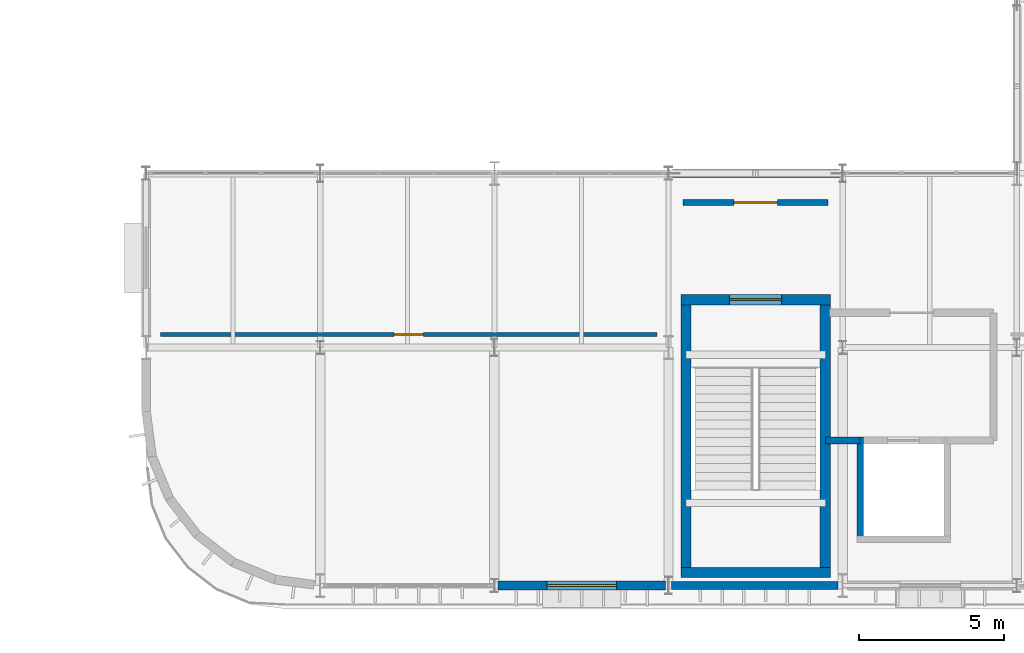
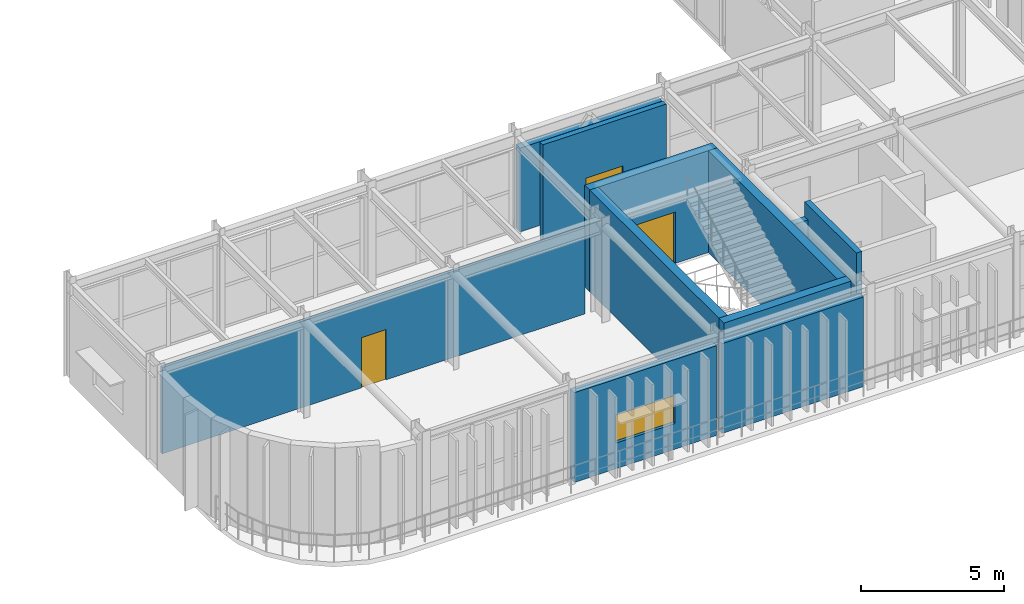
# One storey, part 57 of 84: 11 walls, 3 doors, 1 window, 4 openings.
"""IFC4 building model written with IfcOpenShell, lengths in metres."""

from ifc_helpers import new_model, si_unit, direction, frame, frame_2d, origin, place, context, subcontext, project, spatial, rectangle, extrude, material, layer, layer_set, type_object, element, fill, save


model = new_model("IFC4")

# Units and contexts
model_context = context("Model", 3, precision=1e-05, world=origin(), true_north=direction((0.0, 1.0)))
body_context = subcontext(model_context, "Body", "Model", "MODEL_VIEW")
ifc_project = project(units=[si_unit("LENGTHUNIT", "METRE"), si_unit("AREAUNIT", "SQUARE_METRE"), si_unit("VOLUMEUNIT", "CUBIC_METRE"), si_unit("PLANEANGLEUNIT", "RADIAN"), si_unit("MASSUNIT", "GRAM", prefix="KILO")], contexts=[model_context])

# Site, building, storey
site_placement = place(None, origin())
site = spatial("IfcSite", under=ifc_project, at=site_placement, CompositionType="ELEMENT")
building_placement = place(site_placement, origin())
building = spatial("IfcBuilding", under=site, at=building_placement, Name="Varnakota Square Police Headquarters", CompositionType="ELEMENT")
storey_placement = place(building_placement, frame((0.0, 0.0, 13.5)))
storey = spatial("IfcBuildingStorey", under=building, at=storey_placement, Name="L03", CompositionType="ELEMENT", Elevation=13.5)

# Walls
ifc_material_1 = material(Name="Concrete M40", Category="concrete")
ifc_layer_1 = layer(ifc_material_1, 0.22998046875, Name="Concrete M40")
ifc_layer_set_1 = layer_set([ifc_layer_1], Name="Concrete M40")
wall_type_1 = type_object("IfcWallType", Name="WL-CORE-230", PredefinedType="SHEAR", material=ifc_layer_set_1)
wall_1_placement = place(storey_placement, frame((132.60009765625, 5.9150390625, 0.0), z_axis=(0.0, 0.0, 1.0), x_axis=(0.0, -1.0, 0.0)))
element("IfcWall", 1, at=wall_1_placement, inside=storey, type_object=wall_type_1, Name="Lift shaft wall LF-FF1 L03 W", PredefinedType="SHEAR", context=body_context, shape_type="SweptSolid", body=[
    extrude(rectangle(XDim=3.630126953125, YDim=0.22998046875, at=frame_2d((1.81494140625, 0.0))), origin(), (0.0, 0.0, 1.0), 4.5),
])
ifc_material_2 = material(Name="Concrete M50", Category="concrete")
ifc_layer_2 = layer(ifc_material_2, 0.35009765625, Name="Concrete M50")
ifc_layer_set_2 = layer_set([ifc_layer_2], Name="Concrete M50")
wall_type_2 = type_object("IfcWallType", Name="WL-CORE-350", PredefinedType="SHEAR", material=ifc_layer_set_2)
wall_2_placement = place(storey_placement, frame((126.425048828125, 1.25, 0.0), z_axis=(0.0, 0.0, 1.0), x_axis=(1.0, 0.0, 0.0)))
element("IfcWall", 2, at=wall_2_placement, inside=storey, type_object=wall_type_2, Name="Core C1 shear wall L03 S", PredefinedType="SHEAR", context=body_context, shape_type="SweptSolid", body=[
    extrude(rectangle(XDim=5.14990234375, YDim=0.35009765625, at=frame_2d((2.574951171875, 0.0))), origin(), (0.0, 0.0, 1.0), 4.360107421875),
])
wall_3_placement = place(storey_placement, frame((131.39990234375, 1.074951171875, 0.0), z_axis=(0.0, 0.0, 1.0), x_axis=(0.0, 1.0, 0.0)))
element("IfcWall", 3, at=wall_3_placement, inside=storey, type_object=wall_type_2, Name="Core C1 shear wall L03 E", PredefinedType="SHEAR", context=body_context, shape_type="SweptSolid", body=[
    extrude(rectangle(XDim=9.75, YDim=0.35009765625, at=frame_2d((4.875, 0.0))), origin(), (0.0, 0.0, 1.0), 4.360107421875),
])

# Wall, opening, door
wall_4_placement = place(storey_placement, frame((131.574951171875, 10.64990234375, 0.0), z_axis=(0.0, 0.0, 1.0), x_axis=(-1.0, 0.0, 0.0)))
wall_4 = element("IfcWall", 4, at=wall_4_placement, inside=storey, type_object=wall_type_2, Name="Core C1 shear wall L03 N", PredefinedType="SHEAR", context=body_context, shape_type="SweptSolid", body=[
    extrude(rectangle(XDim=5.14990234375, YDim=0.35009765625, at=frame_2d((2.574951171875, 0.0))), origin(), (0.0, 0.0, 1.0), 4.360107421875),
])
opening_1_placement = place(wall_4_placement, frame((1.675048828125, 0.0, 0.0)))
opening_1 = element("IfcOpeningElement", 5, at=opening_1_placement, cuts=wall_4, Name="Opening SD004", PredefinedType="OPENING", context=body_context, shape_type="SweptSolid", body=[
    extrude(rectangle(XDim=1.800048828125, YDim=2.199951171875, at=frame_2d((0.89990234375, 1.10009765625))), frame((0.0, 0.18505859375, 0.0), z_axis=(0.0, -1.0, 0.0), x_axis=(1.0, 0.0, 0.0)), (0.0, 0.0, 1.0), 0.3701171875),
])
ifc_material_3 = material(Name="Powder-Coated Galvanised Steel", Category="steel")
door_type_1 = type_object("IfcDoorType", Name="DR-ST-180", OperationType="NOTDEFINED", PredefinedType="DOOR", material=ifc_material_3)
door_1_placement = place(opening_1_placement, origin())
door_1 = element("IfcDoor", 6, at=door_1_placement, inside=storey, type_object=door_type_1, Name="Protected stair door SD004", OperationType="DOUBLE_DOOR_SINGLE_SWING", OverallHeight=2.199951171875, OverallWidth=1.800048828125, PredefinedType="DOOR", context=body_context, shape_type="SweptSolid", body=[
    extrude(rectangle(XDim=1.800048828125, YDim=2.199951171875, at=frame_2d((0.89990234375, 1.10009765625))), frame((0.0, 0.02490234375, 0.0), z_axis=(0.0, -1.0, 0.0), x_axis=(1.0, 0.0, 0.0)), (0.0, 0.0, 1.0), 0.050048828125),
])
fill(opening_1, door_1)

# Walls
wall_5_placement = place(storey_placement, frame((126.60009765625, 10.824951171875, 0.0), z_axis=(0.0, 0.0, 1.0), x_axis=(0.0, -1.0, 0.0)))
element("IfcWall", 7, at=wall_5_placement, inside=storey, type_object=wall_type_2, Name="Core C1 shear wall L03 W", PredefinedType="SHEAR", context=body_context, shape_type="SweptSolid", body=[
    extrude(rectangle(XDim=9.75, YDim=0.35009765625, at=frame_2d((4.875, 0.0))), origin(), (0.0, 0.0, 1.0), 4.360107421875),
])
ifc_layer_3 = layer(ifc_material_1, 0.280029296875, Name="Concrete M40")
ifc_layer_set_3 = layer_set([ifc_layer_3], Name="Concrete M40")
wall_type_3 = type_object("IfcWallType", Name="WL-EXT-280", PredefinedType="SOLIDWALL", material=ifc_layer_set_3)
wall_6_placement = place(storey_placement, frame((126.10888671875, 0.800048828125, 0.0), z_axis=(0.0, 0.0, 1.0), x_axis=(1.0, 0.0, 0.0)))
element("IfcWall", 8, at=wall_6_placement, inside=storey, type_object=wall_type_3, Name="Exterior wall EW-L03-0212", PredefinedType="SOLIDWALL", context=body_context, shape_type="SweptSolid", body=[
    extrude(rectangle(XDim=5.72705078125, YDim=0.280029296875, at=frame_2d((2.863525390625, 0.0))), origin(), (0.0, 0.0, 1.0), 3.840087890625),
])
wall_7_placement = place(storey_placement, frame((126.12890625, 15.0, 0.0), z_axis=(0.0, 0.0, 1.0), x_axis=(1.0, 0.0, 0.0)))
element("IfcWall", 9, at=wall_7_placement, inside=storey, type_object=wall_type_3, Name="Exterior wall EW-L03-0221", PredefinedType="SOLIDWALL", context=body_context, shape_type="SweptSolid", body=[
    extrude(rectangle(XDim=5.76220703125, YDim=0.280029296875, at=frame_2d((2.881103515625, 0.0))), origin(), (0.0, 0.0, 1.0), 3.590087890625),
])

# Wall, opening, window
ifc_material_4 = material(Name="Precast concrete M40", Category="concrete")
ifc_layer_4 = layer(ifc_material_4, 0.300048828125, Name="Precast concrete M40")
ifc_layer_set_4 = layer_set([ifc_layer_4], Name="Precast concrete M40")
wall_type_4 = type_object("IfcWallType", Name="WL-EXT-300", PredefinedType="SOLIDWALL", material=ifc_layer_set_4)
wall_8_placement = place(storey_placement, frame((120.12890625, 0.800048828125, 0.0), z_axis=(0.0, 0.0, 1.0), x_axis=(1.0, 0.0, 0.0)))
wall_8 = element("IfcWall", 10, at=wall_8_placement, inside=storey, type_object=wall_type_4, Name="Exterior wall EW-L03-0211", PredefinedType="SOLIDWALL", context=body_context, shape_type="SweptSolid", body=[
    extrude(rectangle(XDim=5.76220703125, YDim=0.300048828125, at=frame_2d((2.881103515625, 0.0))), origin(), (0.0, 0.0, 1.0), 3.840087890625),
])
opening_2_placement = place(wall_8_placement, frame((1.680908203125, 0.0, 1.10009765625)))
opening_2 = element("IfcOpeningElement", 11, at=opening_2_placement, cuts=wall_8, Name="Opening W06", PredefinedType="OPENING", context=body_context, shape_type="SweptSolid", body=[
    extrude(rectangle(XDim=2.39990234375, YDim=1.199951171875, at=frame_2d((1.199951171875, 0.60009765625))), frame((0.0, 0.159912109375, 0.0), z_axis=(0.0, -1.0, 0.0), x_axis=(1.0, 0.0, 0.0)), (0.0, 0.0, 1.0), 0.320068359375),
])
ifc_material_5 = material(Name="Thermally Broken Aluminium Double-Glazed Window", Category="aluminium")
window_type = type_object("IfcWindowType", Name="WIN-06", PartitioningType="SINGLE_PANEL", PredefinedType="WINDOW", material=ifc_material_5)
window_placement = place(opening_2_placement, origin())
window = element("IfcWindow", 12, at=window_placement, inside=storey, type_object=window_type, Name="Window WN-L03-0033", OverallHeight=1.199951171875, OverallWidth=2.39990234375, PartitioningType="SINGLE_PANEL", PredefinedType="WINDOW", context=body_context, shape_type="SweptSolid", body=[
    extrude(rectangle(XDim=2.39990234375, YDim=1.199951171875, at=frame_2d((1.199951171875, 0.60009765625))), frame((0.0, 0.030029296875, 0.0), z_axis=(0.0, -1.0, 0.0), x_axis=(1.0, 0.0, 0.0)), (0.0, 0.0, 1.0), 0.06005859375),
])
fill(opening_2, window)

# Wall, opening, door
ifc_material_6 = material(Name="Acoustic Insulated Metal-Stud Partition", Category="gypsum")
ifc_layer_5 = layer(ifc_material_6, 0.125, Name="Acoustic Insulated Metal-Stud Partition")
ifc_layer_set_5 = layer_set([ifc_layer_5], Name="Acoustic Insulated Metal-Stud Partition")
wall_type_5 = type_object("IfcWallType", Name="WL-PRT-125", PredefinedType="PARTITIONING", material=ifc_layer_set_5)
wall_9_placement = place(storey_placement, frame((108.5, 9.449951171875, 0.0), z_axis=(0.0, 0.0, 1.0), x_axis=(1.0, 0.0, 0.0)))
wall_9 = element("IfcWall", 13, at=wall_9_placement, inside=storey, type_object=wall_type_5, Name="Interior partition PW-L03-0175 (Serious Crime Investigation Suite West)", PredefinedType="PARTITIONING", context=body_context, shape_type="SweptSolid", body=[
    extrude(rectangle(XDim=17.10009765625, YDim=0.125, at=frame_2d((8.550048828125, 0.0))), origin(), (0.0, 0.0, 1.0), 3.68994140625),
])
opening_3_placement = place(wall_9_placement, frame((8.050048828125, 0.0, 0.0)))
opening_3 = element("IfcOpeningElement", 14, at=opening_3_placement, cuts=wall_9, Name="Opening D251", PredefinedType="OPENING", context=body_context, shape_type="SweptSolid", body=[
    extrude(rectangle(XDim=1.0, YDim=2.14990234375, at=frame_2d((0.5, 1.074951171875))), frame((0.0, 0.072509765625, 0.0), z_axis=(0.0, -1.0, 0.0), x_axis=(1.0, 0.0, 0.0)), (0.0, 0.0, 1.0), 0.14501953125),
])
ifc_material_7 = material(Name="Solid-Core Teak Veneer Hardwood", Category="wood")
door_type_2 = type_object("IfcDoorType", Name="DR-OFF-100", OperationType="NOTDEFINED", PredefinedType="DOOR", material=ifc_material_7)
door_2_placement = place(opening_3_placement, origin())
door_2 = element("IfcDoor", 15, at=door_2_placement, inside=storey, type_object=door_type_2, Name="Room door D251 (Serious Crime Investigation Suite West)", OperationType="SINGLE_SWING_LEFT", OverallHeight=2.14990234375, OverallWidth=1.0, PredefinedType="DOOR", context=body_context, shape_type="SweptSolid", body=[
    extrude(rectangle(XDim=1.0, YDim=2.14990234375, at=frame_2d((0.5, 1.074951171875))), frame((0.0, 0.02490234375, 0.0), z_axis=(0.0, -1.0, 0.0), x_axis=(1.0, 0.0, 0.0)), (0.0, 0.0, 1.0), 0.050048828125),
])
fill(opening_3, door_2)

ifc_layer_6 = layer(ifc_material_1, 0.215087890625, Name="Concrete M40")
ifc_layer_set_6 = layer_set([ifc_layer_6], Name="Concrete M40")
wall_type_6 = type_object("IfcWallType", Name="WL-PRT-215F", PredefinedType="PARTITIONING", material=ifc_layer_set_6)
wall_10_placement = place(storey_placement, frame((126.5, 14.0, 0.0), z_axis=(0.0, 0.0, 1.0), x_axis=(1.0, 0.0, 0.0)))
wall_10 = element("IfcWall", 16, at=wall_10_placement, inside=storey, type_object=wall_type_6, Name="Core C1 lobby fire partition L03", PredefinedType="PARTITIONING", context=body_context, shape_type="SweptSolid", body=[
    extrude(rectangle(XDim=5.0, YDim=0.215087890625, at=frame_2d((2.5, 0.0))), origin(), (0.0, 0.0, 1.0), 4.18994140625),
])
opening_4_placement = place(wall_10_placement, frame((1.75, 0.0, 0.0)))
opening_4 = element("IfcOpeningElement", 17, at=opening_4_placement, cuts=wall_10, Name="Opening FD015", PredefinedType="OPENING", context=body_context, shape_type="SweptSolid", body=[
    extrude(rectangle(XDim=1.5, YDim=2.14990234375, at=frame_2d((0.75, 1.074951171875))), frame((0.0, 0.117431640625, 0.0), z_axis=(0.0, -1.0, 0.0), x_axis=(1.0, 0.0, 0.0)), (0.0, 0.0, 1.0), 0.235107421875),
])
ifc_material_8 = material(Name="Smoke-Sealed Galvanised Acoustic Steel", Category="steel")
door_type_3 = type_object("IfcDoorType", Name="DR-FFL-150", OperationType="NOTDEFINED", PredefinedType="DOOR", material=ifc_material_8)
door_3_placement = place(opening_4_placement, origin())
door_3 = element("IfcDoor", 18, at=door_3_placement, inside=storey, type_object=door_type_3, Name="Core lobby smoke door FD015", OperationType="DOUBLE_DOOR_SINGLE_SWING", OverallHeight=2.14990234375, OverallWidth=1.5, PredefinedType="DOOR", context=body_context, shape_type="SweptSolid", body=[
    extrude(rectangle(XDim=1.5, YDim=2.14990234375, at=frame_2d((0.75, 1.074951171875))), frame((0.0, 0.02490234375, 0.0), z_axis=(0.0, -1.0, 0.0), x_axis=(1.0, 0.0, 0.0)), (0.0, 0.0, 1.0), 0.050048828125),
])
fill(opening_4, door_3)

# Wall
ifc_layer_7 = layer(ifc_material_1, 0.25, Name="Concrete M40")
ifc_layer_set_7 = layer_set([ifc_layer_7], Name="Concrete M40")
wall_type_7 = type_object("IfcWallType", Name="WL-PRT-250F", PredefinedType="PARTITIONING", material=ifc_layer_set_7)
wall_11_placement = place(storey_placement, frame((131.39990234375, 5.800048828125, 0.0), z_axis=(0.0, 0.0, 1.0), x_axis=(1.0, 0.0, 0.0)))
element("IfcWall", 19, at=wall_11_placement, inside=storey, type_object=wall_type_7, Name="Firefighting lobby return wall C1 L03 SW", PredefinedType="PARTITIONING", context=body_context, shape_type="SweptSolid", body=[
    extrude(rectangle(XDim=1.2001953125, YDim=0.25, at=frame_2d((0.60009765625, 0.0))), origin(), (0.0, 0.0, 1.0), 3.8662109375),
])

save(model, "model.ifc")
